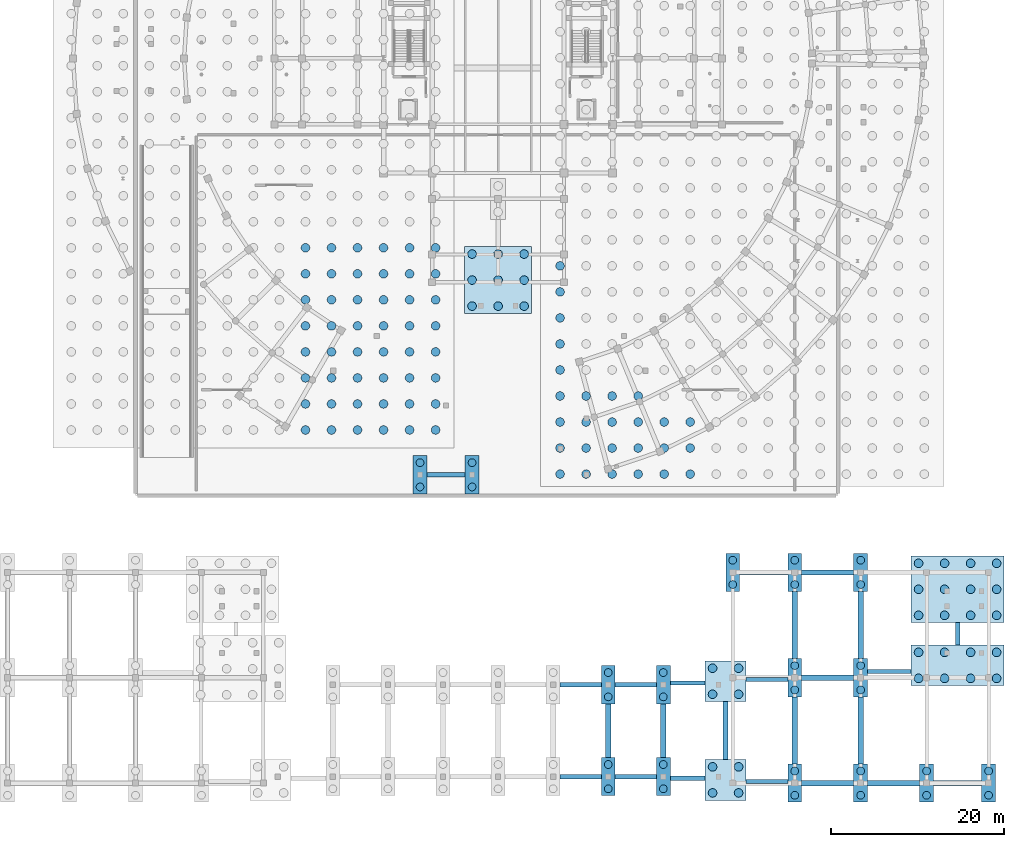
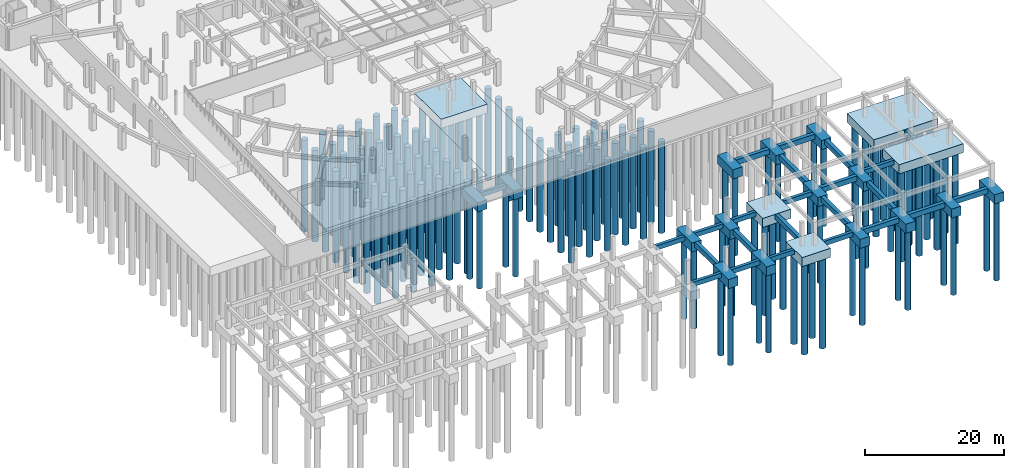
# One storey, part 2 of 33: 142 piles, 44 footings.
"""IFC4 building model written with IfcOpenShell, lengths in metres."""

from ifc_helpers import new_model, si_unit, direction, frame, origin, origin_2d, place, context, subcontext, project, spatial, rectangle, circle, extrude, material, material_profile, profile_set, type_object, element, save


model = new_model("IFC4")

# Units and contexts
model_context = context("Model", 3, precision=1e-05, world=origin(), true_north=direction((0.0, 1.0)))
body_context = subcontext(model_context, "Body", "Model", "MODEL_VIEW")
ifc_project = project(units=[si_unit("LENGTHUNIT", "METRE"), si_unit("AREAUNIT", "SQUARE_METRE"), si_unit("VOLUMEUNIT", "CUBIC_METRE"), si_unit("PLANEANGLEUNIT", "RADIAN"), si_unit("MASSUNIT", "GRAM", prefix="KILO")], contexts=[model_context])

# Site, building, storey
site_placement = place(None, origin())
site = spatial("IfcSite", under=ifc_project, at=site_placement, CompositionType="ELEMENT")
building_placement = place(site_placement, origin())
building = spatial("IfcBuilding", under=site, at=building_placement, Name="Saryqyr Civic Hall", CompositionType="ELEMENT")
storey_placement = place(building_placement, frame((0.0, 0.0, -4.199951171875)))
storey = spatial("IfcBuildingStorey", under=building, at=storey_placement, Name="B1", CompositionType="ELEMENT", Elevation=-4.199951171875)

# Footings
ifc_material = material(Name="Concrete C35/45", Category="concrete")
footing_type_1 = type_object("IfcFootingType", Name="STR-FB-500x800", PredefinedType="FOOTING_BEAM", material=ifc_material)
footing_1_placement = place(storey_placement, frame((87.987548828125, 0.637451171875, -0.80029296875), z_axis=(0.0, 0.0, 1.0), x_axis=(1.0, 0.0, 0.0)))
element("IfcFooting", 1, at=footing_1_placement, inside=storey, type_object=footing_type_1, Name="Ground tie beam FND-FB-009", PredefinedType="FOOTING_BEAM", context=body_context, shape_type="SweptSolid", body=[
    extrude(rectangle(XDim=4.824951171875, YDim=0.5, at=origin_2d()), origin(), (0.0, 0.0, 1.0), 0.800048828125),
])
footing_2_placement = place(storey_placement, frame((78.862548828125, 1.012451171875, -0.80029296875), z_axis=(0.0, 0.0, 1.0), x_axis=(1.0, 0.0, 0.0)))
element("IfcFooting", 2, at=footing_2_placement, inside=storey, type_object=footing_type_1, Name="Ground tie beam FND-FB-010", PredefinedType="FOOTING_BEAM", context=body_context, shape_type="SweptSolid", body=[
    extrude(rectangle(XDim=4.02490234375, YDim=0.5, at=origin_2d()), origin(), (0.0, 0.0, 1.0), 0.800048828125),
])
for number, where, z_axis, x_axis, name in (
    (3, (66.52490234375, 1.199951171875, -0.80029296875), (0.0, 0.0, 1.0), (1.0, 0.0, 0.0), "Ground tie beam FND-FB-025"),
    (4, (72.875, 1.199951171875, -0.80029296875), (0.0, 0.0, 1.0), (1.0, 0.0, 0.0), "Ground tie beam FND-FB-027"),
    (5, (66.52490234375, 11.800048828125, -0.80029296875), (0.0, 0.0, 1.0), (1.0, 0.0, 0.0), "Ground tie beam FND-FB-036"),
    (6, (72.875, 11.800048828125, -0.80029296875), (0.0, 0.0, 1.0), (1.0, 0.0, 0.0), "Ground tie beam FND-FB-037"),
):
    element("IfcFooting", number, at=place(storey_placement, frame(where, z_axis=z_axis, x_axis=x_axis)), inside=storey, type_object=footing_type_1, Name=name, PredefinedType="FOOTING_BEAM", context=body_context, shape_type="SweptSolid", body=[
        extrude(rectangle(XDim=4.75, YDim=0.5, at=origin_2d()), origin(), (0.0, 0.0, 1.0), 0.800048828125),
    ])
footing_3_placement = place(storey_placement, frame((78.862548828125, 12.0, -0.80029296875), z_axis=(0.0, 0.0, 1.0), x_axis=(1.0, 0.0, 0.0)))
element("IfcFooting", 7, at=footing_3_placement, inside=storey, type_object=footing_type_1, Name="Ground tie beam FND-FB-038", PredefinedType="FOOTING_BEAM", context=body_context, shape_type="SweptSolid", body=[
    extrude(rectangle(XDim=4.02490234375, YDim=0.5, at=origin_2d()), origin(), (0.0, 0.0, 1.0), 0.800048828125),
])
footing_4_placement = place(storey_placement, frame((87.987548828125, 12.39990234375, -0.80029296875), z_axis=(0.0, 0.0, 1.0), x_axis=(1.0, 0.0, 0.0)))
element("IfcFooting", 8, at=footing_4_placement, inside=storey, type_object=footing_type_1, Name="Ground tie beam FND-FB-039", PredefinedType="FOOTING_BEAM", context=body_context, shape_type="SweptSolid", body=[
    extrude(rectangle(XDim=4.824951171875, YDim=0.5, at=origin_2d()), origin(), (0.0, 0.0, 1.0), 0.800048828125),
])
footing_5_placement = place(storey_placement, frame((102.112548828125, 13.31591796875, -0.80029296875), z_axis=(0.0, 0.0, 1.0), x_axis=(1.0, 0.0, 0.0)))
element("IfcFooting", 9, at=footing_5_placement, inside=storey, type_object=footing_type_1, Name="Ground tie beam FND-FB-047", PredefinedType="FOOTING_BEAM", context=body_context, shape_type="SweptSolid", body=[
    extrude(rectangle(XDim=5.02490234375, YDim=0.5, at=origin_2d()), origin(), (0.0, 0.0, 1.0), 0.800048828125),
])
footing_6_placement = place(storey_placement, frame((109.97509765625, 17.666015625, -0.80029296875), z_axis=(0.0, 0.0, 1.0), x_axis=(1.0, 0.0, 0.0)))
element("IfcFooting", 10, at=footing_6_placement, inside=storey, type_object=footing_type_1, Name="Ground tie beam FND-FB-049", PredefinedType="FOOTING_BEAM", context=body_context, shape_type="SweptSolid", body=[
    extrude(rectangle(XDim=0.5, YDim=2.568115234375, at=origin_2d()), origin(), (0.0, 0.0, 1.0), 0.800048828125),
])
footing_7_placement = place(storey_placement, frame((51.0, 36.0, -0.80029296875), z_axis=(0.0, 0.0, 1.0), x_axis=(1.0, 0.0, 0.0)))
element("IfcFooting", 11, at=footing_7_placement, inside=storey, type_object=footing_type_1, Name="Ground tie beam FND-FB-054", PredefinedType="FOOTING_BEAM", context=body_context, shape_type="SweptSolid", body=[
    extrude(rectangle(XDim=4.39990234375, YDim=0.5, at=origin_2d()), origin(), (0.0, 0.0, 1.0), 0.800048828125),
])
footing_type_2 = type_object("IfcFootingType", Name="STR-FB-600x900", PredefinedType="FOOTING_BEAM", material=ifc_material)
footing_8_placement = place(storey_placement, frame((83.22509765625, 6.512451171875, -0.89990234375), z_axis=(0.0, 0.0, 1.0), x_axis=(1.0, 0.0, 0.0)))
element("IfcFooting", 12, at=footing_8_placement, inside=storey, type_object=footing_type_2, Name="Ground tie beam FND-FB-011", PredefinedType="FOOTING_BEAM", context=body_context, shape_type="SweptSolid", body=[
    extrude(rectangle(XDim=0.60009765625, YDim=6.675048828125, at=origin_2d()), origin(), (0.0, 0.0, 1.0), 0.89990234375),
])
footing_9_placement = place(storey_placement, frame((95.0, 0.449951171875, -0.89990234375), z_axis=(0.0, 0.0, 1.0), x_axis=(1.0, 0.0, 0.0)))
element("IfcFooting", 13, at=footing_9_placement, inside=storey, type_object=footing_type_2, Name="Ground tie beam FND-FB-012", PredefinedType="FOOTING_BEAM", context=body_context, shape_type="SweptSolid", body=[
    extrude(rectangle(XDim=6.0, YDim=0.60009765625, at=origin_2d()), origin(), (0.0, 0.0, 1.0), 0.89990234375),
])
footing_10_placement = place(storey_placement, frame((91.199951171875, 6.52490234375, -0.89990234375), z_axis=(0.0, 0.0, 1.0), x_axis=(1.0, 0.0, 0.0)))
element("IfcFooting", 14, at=footing_10_placement, inside=storey, type_object=footing_type_2, Name="Ground tie beam FND-FB-013", PredefinedType="FOOTING_BEAM", context=body_context, shape_type="SweptSolid", body=[
    extrude(rectangle(XDim=0.60009765625, YDim=7.75, at=origin_2d()), origin(), (0.0, 0.0, 1.0), 0.89990234375),
])
footing_11_placement = place(storey_placement, frame((102.60009765625, 0.449951171875, -0.89990234375), z_axis=(0.0, 0.0, 1.0), x_axis=(1.0, 0.0, 0.0)))
element("IfcFooting", 15, at=footing_11_placement, inside=storey, type_object=footing_type_2, Name="Ground tie beam FND-FB-014", PredefinedType="FOOTING_BEAM", context=body_context, shape_type="SweptSolid", body=[
    extrude(rectangle(XDim=6.0, YDim=0.60009765625, at=origin_2d()), origin(), (0.0, 0.0, 1.0), 0.89990234375),
])
footing_12_placement = place(storey_placement, frame((98.800048828125, 6.52490234375, -0.89990234375), z_axis=(0.0, 0.0, 1.0), x_axis=(1.0, 0.0, 0.0)))
element("IfcFooting", 16, at=footing_12_placement, inside=storey, type_object=footing_type_2, Name="Ground tie beam FND-FB-015", PredefinedType="FOOTING_BEAM", context=body_context, shape_type="SweptSolid", body=[
    extrude(rectangle(XDim=0.60009765625, YDim=7.75, at=origin_2d()), origin(), (0.0, 0.0, 1.0), 0.89990234375),
])
footing_13_placement = place(storey_placement, frame((109.97509765625, 0.449951171875, -0.89990234375), z_axis=(0.0, 0.0, 1.0), x_axis=(1.0, 0.0, 0.0)))
element("IfcFooting", 17, at=footing_13_placement, inside=storey, type_object=footing_type_2, Name="Ground tie beam FND-FB-016", PredefinedType="FOOTING_BEAM", context=body_context, shape_type="SweptSolid", body=[
    extrude(rectangle(XDim=5.550048828125, YDim=0.60009765625, at=origin_2d()), origin(), (0.0, 0.0, 1.0), 0.89990234375),
])
for number, where, z_axis, x_axis, name in (
    (18, (69.699951171875, 6.5, -0.89990234375), (0.0, 0.0, 1.0), (1.0, 0.0, 0.0), "Ground tie beam FND-FB-028"),
    (19, (76.050048828125, 6.5, -0.89990234375), (0.0, 0.0, 1.0), (1.0, 0.0, 0.0), "Ground tie beam FND-FB-029"),
):
    element("IfcFooting", number, at=place(storey_placement, frame(where, z_axis=z_axis, x_axis=x_axis)), inside=storey, type_object=footing_type_2, Name=name, PredefinedType="FOOTING_BEAM", context=body_context, shape_type="SweptSolid", body=[
        extrude(rectangle(XDim=0.60009765625, YDim=6.199951171875, at=origin_2d()), origin(), (0.0, 0.0, 1.0), 0.89990234375),
    ])
footing_14_placement = place(storey_placement, frame((95.0, 12.60009765625, -0.89990234375), z_axis=(0.0, 0.0, 1.0), x_axis=(1.0, 0.0, 0.0)))
element("IfcFooting", 20, at=footing_14_placement, inside=storey, type_object=footing_type_2, Name="Ground tie beam FND-FB-045", PredefinedType="FOOTING_BEAM", context=body_context, shape_type="SweptSolid", body=[
    extrude(rectangle(XDim=6.0, YDim=0.60009765625, at=origin_2d()), origin(), (0.0, 0.0, 1.0), 0.89990234375),
])
for number, where, z_axis, x_axis, name in (
    (21, (91.199951171875, 18.675048828125, -0.89990234375), (0.0, 0.0, 1.0), (1.0, 0.0, 0.0), "Ground tie beam FND-FB-046"),
    (22, (98.800048828125, 18.675048828125, -0.89990234375), (0.0, 0.0, 1.0), (1.0, 0.0, 0.0), "Ground tie beam FND-FB-048"),
):
    element("IfcFooting", number, at=place(storey_placement, frame(where, z_axis=z_axis, x_axis=x_axis)), inside=storey, type_object=footing_type_2, Name=name, PredefinedType="FOOTING_BEAM", context=body_context, shape_type="SweptSolid", body=[
        extrude(rectangle(XDim=0.60009765625, YDim=7.75, at=origin_2d()), origin(), (0.0, 0.0, 1.0), 0.89990234375),
    ])
footing_15_placement = place(storey_placement, frame((87.625, 24.75, -0.89990234375), z_axis=(0.0, 0.0, 1.0), x_axis=(1.0, 0.0, 0.0)))
element("IfcFooting", 23, at=footing_15_placement, inside=storey, type_object=footing_type_2, Name="Ground tie beam FND-FB-052", PredefinedType="FOOTING_BEAM", context=body_context, shape_type="SweptSolid", body=[
    extrude(rectangle(XDim=5.550048828125, YDim=0.60009765625, at=origin_2d()), origin(), (0.0, 0.0, 1.0), 0.89990234375),
])
footing_16_placement = place(storey_placement, frame((95.0, 24.75, -0.89990234375), z_axis=(0.0, 0.0, 1.0), x_axis=(1.0, 0.0, 0.0)))
element("IfcFooting", 24, at=footing_16_placement, inside=storey, type_object=footing_type_2, Name="Ground tie beam FND-FB-053", PredefinedType="FOOTING_BEAM", context=body_context, shape_type="SweptSolid", body=[
    extrude(rectangle(XDim=6.0, YDim=0.60009765625, at=origin_2d()), origin(), (0.0, 0.0, 1.0), 0.89990234375),
])
footing_type_3 = type_object("IfcFootingType", Name="STR-PCAP-10700x4700x1600", PredefinedType="PILE_CAP", material=ifc_material)
footing_17_placement = place(storey_placement, frame((109.97509765625, 14.031982421875, -1.60009765625), z_axis=(0.0, 0.0, 1.0), x_axis=(1.0, 0.0, 0.0)))
element("IfcFooting", 25, at=footing_17_placement, inside=storey, type_object=footing_type_3, Name="Reinforced concrete pile cap FND-PCAP-032", PredefinedType="PILE_CAP", context=body_context, shape_type="SweptSolid", body=[
    extrude(rectangle(XDim=10.699951171875, YDim=4.699951171875, at=origin_2d()), origin(), (0.0, 0.0, 1.0), 1.60009765625),
])
footing_type_4 = type_object("IfcFootingType", Name="STR-PCAP-10700x7700x1600", PredefinedType="PILE_CAP", material=ifc_material)
footing_18_placement = place(storey_placement, frame((109.97509765625, 22.800048828125, -1.60009765625), z_axis=(0.0, 0.0, 1.0), x_axis=(1.0, 0.0, 0.0)))
element("IfcFooting", 26, at=footing_18_placement, inside=storey, type_object=footing_type_4, Name="Reinforced concrete pile cap FND-PCAP-034", PredefinedType="PILE_CAP", context=body_context, shape_type="SweptSolid", body=[
    extrude(rectangle(XDim=10.699951171875, YDim=7.699951171875, at=origin_2d()), origin(), (0.0, 0.0, 1.0), 1.60009765625),
])
footing_type_5 = type_object("IfcFootingType", Name="STR-PCAP-1600x4400x1600", PredefinedType="PILE_CAP", material=ifc_material)
for number, where, z_axis, x_axis, name in (
    (27, (91.199951171875, 0.449951171875, -1.60009765625), (0.0, 0.0, 1.0), (1.0, 0.0, 0.0), "Reinforced concrete pile cap FND-PCAP-007"),
    (28, (98.800048828125, 0.449951171875, -1.60009765625), (0.0, 0.0, 1.0), (1.0, 0.0, 0.0), "Reinforced concrete pile cap FND-PCAP-008"),
    (29, (106.39990234375, 0.449951171875, -1.60009765625), (0.0, 0.0, 1.0), (1.0, 0.0, 0.0), "Reinforced concrete pile cap FND-PCAP-009"),
    (30, (113.550048828125, 0.449951171875, -1.60009765625), (0.0, 0.0, 1.0), (1.0, 0.0, 0.0), "Reinforced concrete pile cap FND-PCAP-010"),
    (31, (69.699951171875, 1.199951171875, -1.60009765625), (0.0, 0.0, 1.0), (1.0, 0.0, 0.0), "Reinforced concrete pile cap FND-PCAP-016"),
    (32, (76.050048828125, 1.199951171875, -1.60009765625), (0.0, 0.0, 1.0), (1.0, 0.0, 0.0), "Reinforced concrete pile cap FND-PCAP-017"),
    (33, (69.699951171875, 11.800048828125, -1.60009765625), (0.0, 0.0, 1.0), (1.0, 0.0, 0.0), "Reinforced concrete pile cap FND-PCAP-024"),
    (34, (76.050048828125, 11.800048828125, -1.60009765625), (0.0, 0.0, 1.0), (1.0, 0.0, 0.0), "Reinforced concrete pile cap FND-PCAP-025"),
    (35, (91.199951171875, 12.60009765625, -1.60009765625), (0.0, 0.0, 1.0), (1.0, 0.0, 0.0), "Reinforced concrete pile cap FND-PCAP-030"),
    (36, (98.800048828125, 12.60009765625, -1.60009765625), (0.0, 0.0, 1.0), (1.0, 0.0, 0.0), "Reinforced concrete pile cap FND-PCAP-031"),
    (37, (84.050048828125, 24.75, -1.60009765625), (0.0, 0.0, 1.0), (1.0, 0.0, 0.0), "Reinforced concrete pile cap FND-PCAP-038"),
    (38, (91.199951171875, 24.75, -1.60009765625), (0.0, 0.0, 1.0), (1.0, 0.0, 0.0), "Reinforced concrete pile cap FND-PCAP-039"),
    (39, (98.800048828125, 24.75, -1.60009765625), (0.0, 0.0, 1.0), (1.0, 0.0, 0.0), "Reinforced concrete pile cap FND-PCAP-040"),
    (40, (48.0, 36.0, -1.60009765625), (0.0, 0.0, 1.0), (1.0, 0.0, 0.0), "Reinforced concrete pile cap FND-PCAP-041"),
    (41, (54.0, 36.0, -1.60009765625), (0.0, 0.0, 1.0), (1.0, 0.0, 0.0), "Reinforced concrete pile cap FND-PCAP-042"),
):
    element("IfcFooting", number, at=place(storey_placement, frame(where, z_axis=z_axis, x_axis=x_axis)), inside=storey, type_object=footing_type_5, Name=name, PredefinedType="PILE_CAP", context=body_context, shape_type="SweptSolid", body=[
        extrude(rectangle(XDim=1.60009765625, YDim=4.39990234375, at=origin_2d()), origin(), (0.0, 0.0, 1.0), 1.60009765625),
    ])
footing_type_6 = type_object("IfcFootingType", Name="STR-PCAP-4700x4700x1600", PredefinedType="PILE_CAP", material=ifc_material)
for number, where, z_axis, x_axis, name in (
    (42, (83.22509765625, 0.824951171875, -1.60009765625), (0.0, 0.0, 1.0), (1.0, 0.0, 0.0), "Reinforced concrete pile cap FND-PCAP-006"),
    (43, (83.22509765625, 12.199951171875, -1.60009765625), (0.0, 0.0, 1.0), (1.0, 0.0, 0.0), "Reinforced concrete pile cap FND-PCAP-026"),
):
    element("IfcFooting", number, at=place(storey_placement, frame(where, z_axis=z_axis, x_axis=x_axis)), inside=storey, type_object=footing_type_6, Name=name, PredefinedType="PILE_CAP", context=body_context, shape_type="SweptSolid", body=[
        extrude(rectangle(XDim=4.699951171875, YDim=4.699951171875, at=origin_2d()), origin(), (0.0, 0.0, 1.0), 1.60009765625),
    ])
footing_type_7 = type_object("IfcFootingType", Name="STR-PCAP-7700x7700x1600", PredefinedType="PILE_CAP", material=ifc_material)
footing_19_placement = place(storey_placement, frame((57.0, 58.449951171875, -1.60009765625), z_axis=(0.0, 0.0, 1.0), x_axis=(1.0, 0.0, 0.0)))
element("IfcFooting", 44, at=footing_19_placement, inside=storey, type_object=footing_type_7, Name="Reinforced concrete pile cap FND-PCAP-045", PredefinedType="PILE_CAP", context=body_context, shape_type="SweptSolid", body=[
    extrude(rectangle(XDim=7.699951171875, YDim=7.699951171875, at=origin_2d()), origin(), (0.0, 0.0, 1.0), 1.60009765625),
])

# Piles
ifc_material_profile_1 = material_profile(ifc_material, circle(Radius=0.5, at=origin_2d()), Name="BORED PILE D1000")
ifc_profile_set_1 = profile_set([ifc_material_profile_1], Name="Concrete C35/45")
pile_type_1 = type_object("IfcPileType", Name="STR-PILE-D1000", PredefinedType="BORED", material=ifc_profile_set_1)
for number, where, z_axis, x_axis, name in (
    (45, (81.72509765625, -0.675048828125, -1.5), (0.0, 0.0, -1.0), (1.0, 0.0, 0.0), "Bored pile FND-PCAP-006-P01"),
    (46, (81.72509765625, 2.324951171875, -1.5), (0.0, 0.0, -1.0), (1.0, 0.0, 0.0), "Bored pile FND-PCAP-006-P02"),
    (47, (84.72509765625, -0.675048828125, -1.5), (0.0, 0.0, -1.0), (1.0, 0.0, 0.0), "Bored pile FND-PCAP-006-P03"),
    (48, (84.72509765625, 2.324951171875, -1.5), (0.0, 0.0, -1.0), (1.0, 0.0, 0.0), "Bored pile FND-PCAP-006-P04"),
    (49, (81.72509765625, 10.699951171875, -1.5), (0.0, 0.0, -1.0), (1.0, 0.0, 0.0), "Bored pile FND-PCAP-026-P01"),
    (50, (81.72509765625, 13.699951171875, -1.5), (0.0, 0.0, -1.0), (1.0, 0.0, 0.0), "Bored pile FND-PCAP-026-P02"),
    (51, (84.72509765625, 10.699951171875, -1.5), (0.0, 0.0, -1.0), (1.0, 0.0, 0.0), "Bored pile FND-PCAP-026-P03"),
    (52, (84.72509765625, 13.699951171875, -1.5), (0.0, 0.0, -1.0), (1.0, 0.0, 0.0), "Bored pile FND-PCAP-026-P04"),
    (53, (105.47509765625, 12.531982421875, -1.5), (0.0, 0.0, -1.0), (1.0, 0.0, 0.0), "Bored pile FND-PCAP-032-P01"),
    (54, (105.47509765625, 15.531982421875, -1.5), (0.0, 0.0, -1.0), (1.0, 0.0, 0.0), "Bored pile FND-PCAP-032-P02"),
    (55, (108.47509765625, 12.531982421875, -1.5), (0.0, 0.0, -1.0), (1.0, 0.0, 0.0), "Bored pile FND-PCAP-032-P03"),
    (56, (108.47509765625, 15.531982421875, -1.5), (0.0, 0.0, -1.0), (1.0, 0.0, 0.0), "Bored pile FND-PCAP-032-P04"),
    (57, (111.47509765625, 12.531982421875, -1.5), (0.0, 0.0, -1.0), (1.0, 0.0, 0.0), "Bored pile FND-PCAP-032-P05"),
    (58, (111.47509765625, 15.531982421875, -1.5), (0.0, 0.0, -1.0), (1.0, 0.0, 0.0), "Bored pile FND-PCAP-032-P06"),
    (59, (114.47509765625, 12.531982421875, -1.5), (0.0, 0.0, -1.0), (1.0, 0.0, 0.0), "Bored pile FND-PCAP-032-P07"),
    (60, (114.47509765625, 15.531982421875, -1.5), (0.0, 0.0, -1.0), (1.0, 0.0, 0.0), "Bored pile FND-PCAP-032-P08"),
    (61, (105.47509765625, 19.800048828125, -1.5), (0.0, 0.0, -1.0), (1.0, 0.0, 0.0), "Bored pile FND-PCAP-034-P01"),
    (62, (105.47509765625, 22.800048828125, -1.5), (0.0, 0.0, -1.0), (1.0, 0.0, 0.0), "Bored pile FND-PCAP-034-P02"),
    (63, (105.47509765625, 25.800048828125, -1.5), (0.0, 0.0, -1.0), (1.0, 0.0, 0.0), "Bored pile FND-PCAP-034-P03"),
    (64, (108.47509765625, 19.800048828125, -1.5), (0.0, 0.0, -1.0), (1.0, 0.0, 0.0), "Bored pile FND-PCAP-034-P04"),
    (65, (108.47509765625, 22.800048828125, -1.5), (0.0, 0.0, -1.0), (1.0, 0.0, 0.0), "Bored pile FND-PCAP-034-P05"),
    (66, (108.47509765625, 25.800048828125, -1.5), (0.0, 0.0, -1.0), (1.0, 0.0, 0.0), "Bored pile FND-PCAP-034-P06"),
    (67, (111.47509765625, 19.800048828125, -1.5), (0.0, 0.0, -1.0), (1.0, 0.0, 0.0), "Bored pile FND-PCAP-034-P07"),
    (68, (111.47509765625, 22.800048828125, -1.5), (0.0, 0.0, -1.0), (1.0, 0.0, 0.0), "Bored pile FND-PCAP-034-P08"),
    (69, (111.47509765625, 25.800048828125, -1.5), (0.0, 0.0, -1.0), (1.0, 0.0, 0.0), "Bored pile FND-PCAP-034-P09"),
    (70, (114.47509765625, 19.800048828125, -1.5), (0.0, 0.0, -1.0), (1.0, 0.0, 0.0), "Bored pile FND-PCAP-034-P10"),
    (71, (114.47509765625, 22.800048828125, -1.5), (0.0, 0.0, -1.0), (1.0, 0.0, 0.0), "Bored pile FND-PCAP-034-P11"),
    (72, (114.47509765625, 25.800048828125, -1.5), (0.0, 0.0, -1.0), (1.0, 0.0, 0.0), "Bored pile FND-PCAP-034-P12"),
    (73, (64.14404296875, 36.0849609375, -1.5), (0.0, 0.0, -1.0), (1.0, 0.0, 0.0), "Bored pile FND-PCAP-043-P01"),
    (74, (64.14404296875, 39.0849609375, -1.5), (0.0, 0.0, -1.0), (1.0, 0.0, 0.0), "Bored pile FND-PCAP-043-P02"),
    (75, (64.14404296875, 42.0849609375, -1.5), (0.0, 0.0, -1.0), (1.0, 0.0, 0.0), "Bored pile FND-PCAP-043-P03"),
    (76, (64.14404296875, 45.0849609375, -1.5), (0.0, 0.0, -1.0), (1.0, 0.0, 0.0), "Bored pile FND-PCAP-043-P04"),
    (77, (64.14404296875, 48.0849609375, -1.5), (0.0, 0.0, -1.0), (1.0, 0.0, 0.0), "Bored pile FND-PCAP-043-P05"),
    (78, (64.14404296875, 51.0849609375, -1.5), (0.0, 0.0, -1.0), (1.0, 0.0, 0.0), "Bored pile FND-PCAP-043-P06"),
    (79, (64.14404296875, 54.0849609375, -1.5), (0.0, 0.0, -1.0), (1.0, 0.0, 0.0), "Bored pile FND-PCAP-043-P07"),
    (80, (64.14404296875, 57.0849609375, -1.5), (0.0, 0.0, -1.0), (1.0, 0.0, 0.0), "Bored pile FND-PCAP-043-P08"),
    (81, (64.14404296875, 60.0849609375, -1.5), (0.0, 0.0, -1.0), (1.0, 0.0, 0.0), "Bored pile FND-PCAP-043-P09"),
    (82, (67.14404296875, 36.0849609375, -1.5), (0.0, 0.0, -1.0), (1.0, 0.0, 0.0), "Bored pile FND-PCAP-043-P34"),
    (83, (67.14404296875, 39.0849609375, -1.5), (0.0, 0.0, -1.0), (1.0, 0.0, 0.0), "Bored pile FND-PCAP-043-P35"),
    (84, (67.14404296875, 42.0849609375, -1.5), (0.0, 0.0, -1.0), (1.0, 0.0, 0.0), "Bored pile FND-PCAP-043-P36"),
    (85, (67.14404296875, 45.0849609375, -1.5), (0.0, 0.0, -1.0), (1.0, 0.0, 0.0), "Bored pile FND-PCAP-043-P37"),
    (86, (70.14404296875, 36.0849609375, -1.5), (0.0, 0.0, -1.0), (1.0, 0.0, 0.0), "Bored pile FND-PCAP-043-P67"),
    (87, (70.14404296875, 39.0849609375, -1.5), (0.0, 0.0, -1.0), (1.0, 0.0, 0.0), "Bored pile FND-PCAP-043-P68"),
    (88, (70.14404296875, 42.0849609375, -1.5), (0.0, 0.0, -1.0), (1.0, 0.0, 0.0), "Bored pile FND-PCAP-043-P69"),
    (89, (70.14404296875, 45.0849609375, -1.5), (0.0, 0.0, -1.0), (1.0, 0.0, 0.0), "Bored pile FND-PCAP-043-P70"),
    (90, (73.14404296875, 36.0849609375, -1.5), (0.0, 0.0, -1.0), (1.0, 0.0, 0.0), "Bored pile FND-PCAP-043-P100"),
    (91, (73.14404296875, 39.0849609375, -1.5), (0.0, 0.0, -1.0), (1.0, 0.0, 0.0), "Bored pile FND-PCAP-043-P101"),
    (92, (73.14404296875, 42.0849609375, -1.5), (0.0, 0.0, -1.0), (1.0, 0.0, 0.0), "Bored pile FND-PCAP-043-P102"),
    (93, (73.14404296875, 45.0849609375, -1.5), (0.0, 0.0, -1.0), (1.0, 0.0, 0.0), "Bored pile FND-PCAP-043-P103"),
    (94, (76.14404296875, 36.0849609375, -1.5), (0.0, 0.0, -1.0), (1.0, 0.0, 0.0), "Bored pile FND-PCAP-043-P133"),
    (95, (76.14404296875, 39.0849609375, -1.5), (0.0, 0.0, -1.0), (1.0, 0.0, 0.0), "Bored pile FND-PCAP-043-P134"),
    (96, (76.14404296875, 42.0849609375, -1.5), (0.0, 0.0, -1.0), (1.0, 0.0, 0.0), "Bored pile FND-PCAP-043-P135"),
    (97, (79.14404296875, 36.0849609375, -1.5), (0.0, 0.0, -1.0), (1.0, 0.0, 0.0), "Bored pile FND-PCAP-043-P166"),
    (98, (79.14404296875, 39.0849609375, -1.5), (0.0, 0.0, -1.0), (1.0, 0.0, 0.0), "Bored pile FND-PCAP-043-P167"),
    (99, (79.14404296875, 42.0849609375, -1.5), (0.0, 0.0, -1.0), (1.0, 0.0, 0.0), "Bored pile FND-PCAP-043-P168"),
    (100, (34.7939453125, 41.1669921875, -1.5), (0.0, 0.0, -1.0), (1.0, 0.0, 0.0), "Bored pile FND-PCAP-044-P253"),
    (101, (34.7939453125, 44.1669921875, -1.5), (0.0, 0.0, -1.0), (1.0, 0.0, 0.0), "Bored pile FND-PCAP-044-P254"),
    (102, (34.7939453125, 47.1669921875, -1.5), (0.0, 0.0, -1.0), (1.0, 0.0, 0.0), "Bored pile FND-PCAP-044-P255"),
    (103, (34.7939453125, 50.1669921875, -1.5), (0.0, 0.0, -1.0), (1.0, 0.0, 0.0), "Bored pile FND-PCAP-044-P256"),
    (104, (34.7939453125, 53.1669921875, -1.5), (0.0, 0.0, -1.0), (1.0, 0.0, 0.0), "Bored pile FND-PCAP-044-P257"),
    (105, (34.7939453125, 56.1669921875, -1.5), (0.0, 0.0, -1.0), (1.0, 0.0, 0.0), "Bored pile FND-PCAP-044-P258"),
    (106, (34.7939453125, 59.1669921875, -1.5), (0.0, 0.0, -1.0), (1.0, 0.0, 0.0), "Bored pile FND-PCAP-044-P259"),
    (107, (34.7939453125, 62.1669921875, -1.5), (0.0, 0.0, -1.0), (1.0, 0.0, 0.0), "Bored pile FND-PCAP-044-P260"),
    (108, (37.7939453125, 41.1669921875, -1.5), (0.0, 0.0, -1.0), (1.0, 0.0, 0.0), "Bored pile FND-PCAP-044-P281"),
    (109, (37.7939453125, 44.1669921875, -1.5), (0.0, 0.0, -1.0), (1.0, 0.0, 0.0), "Bored pile FND-PCAP-044-P282"),
    (110, (37.7939453125, 47.1669921875, -1.5), (0.0, 0.0, -1.0), (1.0, 0.0, 0.0), "Bored pile FND-PCAP-044-P283"),
    (111, (37.7939453125, 50.1669921875, -1.5), (0.0, 0.0, -1.0), (1.0, 0.0, 0.0), "Bored pile FND-PCAP-044-P284"),
    (112, (37.7939453125, 53.1669921875, -1.5), (0.0, 0.0, -1.0), (1.0, 0.0, 0.0), "Bored pile FND-PCAP-044-P285"),
    (113, (37.7939453125, 56.1669921875, -1.5), (0.0, 0.0, -1.0), (1.0, 0.0, 0.0), "Bored pile FND-PCAP-044-P286"),
    (114, (37.7939453125, 59.1669921875, -1.5), (0.0, 0.0, -1.0), (1.0, 0.0, 0.0), "Bored pile FND-PCAP-044-P287"),
    (115, (37.7939453125, 62.1669921875, -1.5), (0.0, 0.0, -1.0), (1.0, 0.0, 0.0), "Bored pile FND-PCAP-044-P288"),
    (116, (40.7939453125, 41.1669921875, -1.5), (0.0, 0.0, -1.0), (1.0, 0.0, 0.0), "Bored pile FND-PCAP-044-P309"),
    (117, (40.7939453125, 44.1669921875, -1.5), (0.0, 0.0, -1.0), (1.0, 0.0, 0.0), "Bored pile FND-PCAP-044-P310"),
    (118, (40.7939453125, 47.1669921875, -1.5), (0.0, 0.0, -1.0), (1.0, 0.0, 0.0), "Bored pile FND-PCAP-044-P311"),
    (119, (40.7939453125, 50.1669921875, -1.5), (0.0, 0.0, -1.0), (1.0, 0.0, 0.0), "Bored pile FND-PCAP-044-P312"),
    (120, (40.7939453125, 53.1669921875, -1.5), (0.0, 0.0, -1.0), (1.0, 0.0, 0.0), "Bored pile FND-PCAP-044-P313"),
    (121, (40.7939453125, 56.1669921875, -1.5), (0.0, 0.0, -1.0), (1.0, 0.0, 0.0), "Bored pile FND-PCAP-044-P314"),
    (122, (40.7939453125, 59.1669921875, -1.5), (0.0, 0.0, -1.0), (1.0, 0.0, 0.0), "Bored pile FND-PCAP-044-P315"),
    (123, (40.7939453125, 62.1669921875, -1.5), (0.0, 0.0, -1.0), (1.0, 0.0, 0.0), "Bored pile FND-PCAP-044-P316"),
    (124, (43.7939453125, 41.1669921875, -1.5), (0.0, 0.0, -1.0), (1.0, 0.0, 0.0), "Bored pile FND-PCAP-044-P337"),
    (125, (43.7939453125, 44.1669921875, -1.5), (0.0, 0.0, -1.0), (1.0, 0.0, 0.0), "Bored pile FND-PCAP-044-P338"),
    (126, (43.7939453125, 47.1669921875, -1.5), (0.0, 0.0, -1.0), (1.0, 0.0, 0.0), "Bored pile FND-PCAP-044-P339"),
    (127, (43.7939453125, 50.1669921875, -1.5), (0.0, 0.0, -1.0), (1.0, 0.0, 0.0), "Bored pile FND-PCAP-044-P340"),
    (128, (43.7939453125, 53.1669921875, -1.5), (0.0, 0.0, -1.0), (1.0, 0.0, 0.0), "Bored pile FND-PCAP-044-P341"),
    (129, (43.7939453125, 56.1669921875, -1.5), (0.0, 0.0, -1.0), (1.0, 0.0, 0.0), "Bored pile FND-PCAP-044-P342"),
    (130, (43.7939453125, 59.1669921875, -1.5), (0.0, 0.0, -1.0), (1.0, 0.0, 0.0), "Bored pile FND-PCAP-044-P343"),
    (131, (43.7939453125, 62.1669921875, -1.5), (0.0, 0.0, -1.0), (1.0, 0.0, 0.0), "Bored pile FND-PCAP-044-P344"),
    (132, (46.7939453125, 41.1669921875, -1.5), (0.0, 0.0, -1.0), (1.0, 0.0, 0.0), "Bored pile FND-PCAP-044-P365"),
    (133, (46.7939453125, 44.1669921875, -1.5), (0.0, 0.0, -1.0), (1.0, 0.0, 0.0), "Bored pile FND-PCAP-044-P366"),
    (134, (46.7939453125, 47.1669921875, -1.5), (0.0, 0.0, -1.0), (1.0, 0.0, 0.0), "Bored pile FND-PCAP-044-P367"),
    (135, (46.7939453125, 50.1669921875, -1.5), (0.0, 0.0, -1.0), (1.0, 0.0, 0.0), "Bored pile FND-PCAP-044-P368"),
    (136, (46.7939453125, 53.1669921875, -1.5), (0.0, 0.0, -1.0), (1.0, 0.0, 0.0), "Bored pile FND-PCAP-044-P369"),
    (137, (46.7939453125, 56.1669921875, -1.5), (0.0, 0.0, -1.0), (1.0, 0.0, 0.0), "Bored pile FND-PCAP-044-P370"),
    (138, (46.7939453125, 59.1669921875, -1.5), (0.0, 0.0, -1.0), (1.0, 0.0, 0.0), "Bored pile FND-PCAP-044-P371"),
    (139, (46.7939453125, 62.1669921875, -1.5), (0.0, 0.0, -1.0), (1.0, 0.0, 0.0), "Bored pile FND-PCAP-044-P372"),
    (140, (49.7939453125, 41.1669921875, -1.5), (0.0, 0.0, -1.0), (1.0, 0.0, 0.0), "Bored pile FND-PCAP-044-P393"),
    (141, (49.7939453125, 44.1669921875, -1.5), (0.0, 0.0, -1.0), (1.0, 0.0, 0.0), "Bored pile FND-PCAP-044-P394"),
    (142, (49.7939453125, 47.1669921875, -1.5), (0.0, 0.0, -1.0), (1.0, 0.0, 0.0), "Bored pile FND-PCAP-044-P395"),
    (143, (49.7939453125, 50.1669921875, -1.5), (0.0, 0.0, -1.0), (1.0, 0.0, 0.0), "Bored pile FND-PCAP-044-P396"),
    (144, (49.7939453125, 53.1669921875, -1.5), (0.0, 0.0, -1.0), (1.0, 0.0, 0.0), "Bored pile FND-PCAP-044-P397"),
    (145, (49.7939453125, 56.1669921875, -1.5), (0.0, 0.0, -1.0), (1.0, 0.0, 0.0), "Bored pile FND-PCAP-044-P398"),
    (146, (49.7939453125, 59.1669921875, -1.5), (0.0, 0.0, -1.0), (1.0, 0.0, 0.0), "Bored pile FND-PCAP-044-P399"),
    (147, (49.7939453125, 62.1669921875, -1.5), (0.0, 0.0, -1.0), (1.0, 0.0, 0.0), "Bored pile FND-PCAP-044-P400"),
    (148, (54.0, 55.449951171875, -1.5), (0.0, 0.0, -1.0), (1.0, 0.0, 0.0), "Bored pile FND-PCAP-045-P01"),
    (149, (54.0, 58.449951171875, -1.5), (0.0, 0.0, -1.0), (1.0, 0.0, 0.0), "Bored pile FND-PCAP-045-P02"),
    (150, (54.0, 61.449951171875, -1.5), (0.0, 0.0, -1.0), (1.0, 0.0, 0.0), "Bored pile FND-PCAP-045-P03"),
    (151, (57.0, 55.449951171875, -1.5), (0.0, 0.0, -1.0), (1.0, 0.0, 0.0), "Bored pile FND-PCAP-045-P04"),
    (152, (57.0, 58.449951171875, -1.5), (0.0, 0.0, -1.0), (1.0, 0.0, 0.0), "Bored pile FND-PCAP-045-P05"),
    (153, (57.0, 61.449951171875, -1.5), (0.0, 0.0, -1.0), (1.0, 0.0, 0.0), "Bored pile FND-PCAP-045-P06"),
    (154, (60.0, 55.449951171875, -1.5), (0.0, 0.0, -1.0), (1.0, 0.0, 0.0), "Bored pile FND-PCAP-045-P07"),
    (155, (60.0, 58.449951171875, -1.5), (0.0, 0.0, -1.0), (1.0, 0.0, 0.0), "Bored pile FND-PCAP-045-P08"),
    (156, (60.0, 61.449951171875, -1.5), (0.0, 0.0, -1.0), (1.0, 0.0, 0.0), "Bored pile FND-PCAP-045-P09"),
):
    element("IfcPile", number, at=place(storey_placement, frame(where, z_axis=z_axis, x_axis=x_axis)), inside=storey, type_object=pile_type_1, Name=name, PredefinedType="BORED", context=body_context, shape_type="SweptSolid", body=[
        extrude(circle(Radius=0.5, at=origin_2d()), origin(), (0.0, 0.0, 1.0), 16.10009765625),
    ])
ifc_material_profile_2 = material_profile(ifc_material, circle(Radius=0.449951171875, at=origin_2d()), Name="BORED PILE D900")
ifc_profile_set_2 = profile_set([ifc_material_profile_2], Name="Concrete C35/45")
pile_type_2 = type_object("IfcPileType", Name="STR-PILE-D900", PredefinedType="BORED", material=ifc_profile_set_2)
for number, where, z_axis, x_axis, name in (
    (157, (91.199951171875, -0.949951171875, -1.5), (0.0, 0.0, -1.0), (1.0, 0.0, 0.0), "Bored pile FND-PCAP-007-P01"),
    (158, (91.199951171875, 1.85009765625, -1.5), (0.0, 0.0, -1.0), (1.0, 0.0, 0.0), "Bored pile FND-PCAP-007-P02"),
    (159, (98.800048828125, -0.949951171875, -1.5), (0.0, 0.0, -1.0), (1.0, 0.0, 0.0), "Bored pile FND-PCAP-008-P01"),
    (160, (98.800048828125, 1.85009765625, -1.5), (0.0, 0.0, -1.0), (1.0, 0.0, 0.0), "Bored pile FND-PCAP-008-P02"),
    (161, (106.39990234375, -0.949951171875, -1.5), (0.0, 0.0, -1.0), (1.0, 0.0, 0.0), "Bored pile FND-PCAP-009-P01"),
    (162, (106.39990234375, 1.85009765625, -1.5), (0.0, 0.0, -1.0), (1.0, 0.0, 0.0), "Bored pile FND-PCAP-009-P02"),
    (163, (113.550048828125, -0.949951171875, -1.5), (0.0, 0.0, -1.0), (1.0, 0.0, 0.0), "Bored pile FND-PCAP-010-P01"),
    (164, (113.550048828125, 1.85009765625, -1.5), (0.0, 0.0, -1.0), (1.0, 0.0, 0.0), "Bored pile FND-PCAP-010-P02"),
    (165, (69.699951171875, -0.199951171875, -1.5), (0.0, 0.0, -1.0), (1.0, 0.0, 0.0), "Bored pile FND-PCAP-016-P01"),
    (166, (69.699951171875, 2.60009765625, -1.5), (0.0, 0.0, -1.0), (1.0, 0.0, 0.0), "Bored pile FND-PCAP-016-P02"),
    (167, (76.050048828125, -0.199951171875, -1.5), (0.0, 0.0, -1.0), (1.0, 0.0, 0.0), "Bored pile FND-PCAP-017-P01"),
    (168, (76.050048828125, 2.60009765625, -1.5), (0.0, 0.0, -1.0), (1.0, 0.0, 0.0), "Bored pile FND-PCAP-017-P02"),
    (169, (69.699951171875, 10.39990234375, -1.5), (0.0, 0.0, -1.0), (1.0, 0.0, 0.0), "Bored pile FND-PCAP-024-P01"),
    (170, (69.699951171875, 13.199951171875, -1.5), (0.0, 0.0, -1.0), (1.0, 0.0, 0.0), "Bored pile FND-PCAP-024-P02"),
    (171, (76.050048828125, 10.39990234375, -1.5), (0.0, 0.0, -1.0), (1.0, 0.0, 0.0), "Bored pile FND-PCAP-025-P01"),
    (172, (76.050048828125, 13.199951171875, -1.5), (0.0, 0.0, -1.0), (1.0, 0.0, 0.0), "Bored pile FND-PCAP-025-P02"),
    (173, (91.199951171875, 11.199951171875, -1.5), (0.0, 0.0, -1.0), (1.0, 0.0, 0.0), "Bored pile FND-PCAP-030-P01"),
    (174, (91.199951171875, 14.0, -1.5), (0.0, 0.0, -1.0), (1.0, 0.0, 0.0), "Bored pile FND-PCAP-030-P02"),
    (175, (98.800048828125, 11.199951171875, -1.5), (0.0, 0.0, -1.0), (1.0, 0.0, 0.0), "Bored pile FND-PCAP-031-P01"),
    (176, (98.800048828125, 14.0, -1.5), (0.0, 0.0, -1.0), (1.0, 0.0, 0.0), "Bored pile FND-PCAP-031-P02"),
    (177, (84.050048828125, 23.35009765625, -1.5), (0.0, 0.0, -1.0), (1.0, 0.0, 0.0), "Bored pile FND-PCAP-038-P01"),
    (178, (84.050048828125, 26.14990234375, -1.5), (0.0, 0.0, -1.0), (1.0, 0.0, 0.0), "Bored pile FND-PCAP-038-P02"),
    (179, (91.199951171875, 23.35009765625, -1.5), (0.0, 0.0, -1.0), (1.0, 0.0, 0.0), "Bored pile FND-PCAP-039-P01"),
    (180, (91.199951171875, 26.14990234375, -1.5), (0.0, 0.0, -1.0), (1.0, 0.0, 0.0), "Bored pile FND-PCAP-039-P02"),
    (181, (98.800048828125, 23.35009765625, -1.5), (0.0, 0.0, -1.0), (1.0, 0.0, 0.0), "Bored pile FND-PCAP-040-P01"),
    (182, (98.800048828125, 26.14990234375, -1.5), (0.0, 0.0, -1.0), (1.0, 0.0, 0.0), "Bored pile FND-PCAP-040-P02"),
    (183, (48.0, 34.60009765625, -1.5), (0.0, 0.0, -1.0), (1.0, 0.0, 0.0), "Bored pile FND-PCAP-041-P01"),
    (184, (48.0, 37.39990234375, -1.5), (0.0, 0.0, -1.0), (1.0, 0.0, 0.0), "Bored pile FND-PCAP-041-P02"),
    (185, (54.0, 34.60009765625, -1.5), (0.0, 0.0, -1.0), (1.0, 0.0, 0.0), "Bored pile FND-PCAP-042-P01"),
    (186, (54.0, 37.39990234375, -1.5), (0.0, 0.0, -1.0), (1.0, 0.0, 0.0), "Bored pile FND-PCAP-042-P02"),
):
    element("IfcPile", number, at=place(storey_placement, frame(where, z_axis=z_axis, x_axis=x_axis)), inside=storey, type_object=pile_type_2, Name=name, PredefinedType="BORED", context=body_context, shape_type="SweptSolid", body=[
        extrude(circle(Radius=0.449951171875, at=origin_2d()), origin(), (0.0, 0.0, 1.0), 14.10009765625),
    ])

save(model, "model.ifc")
